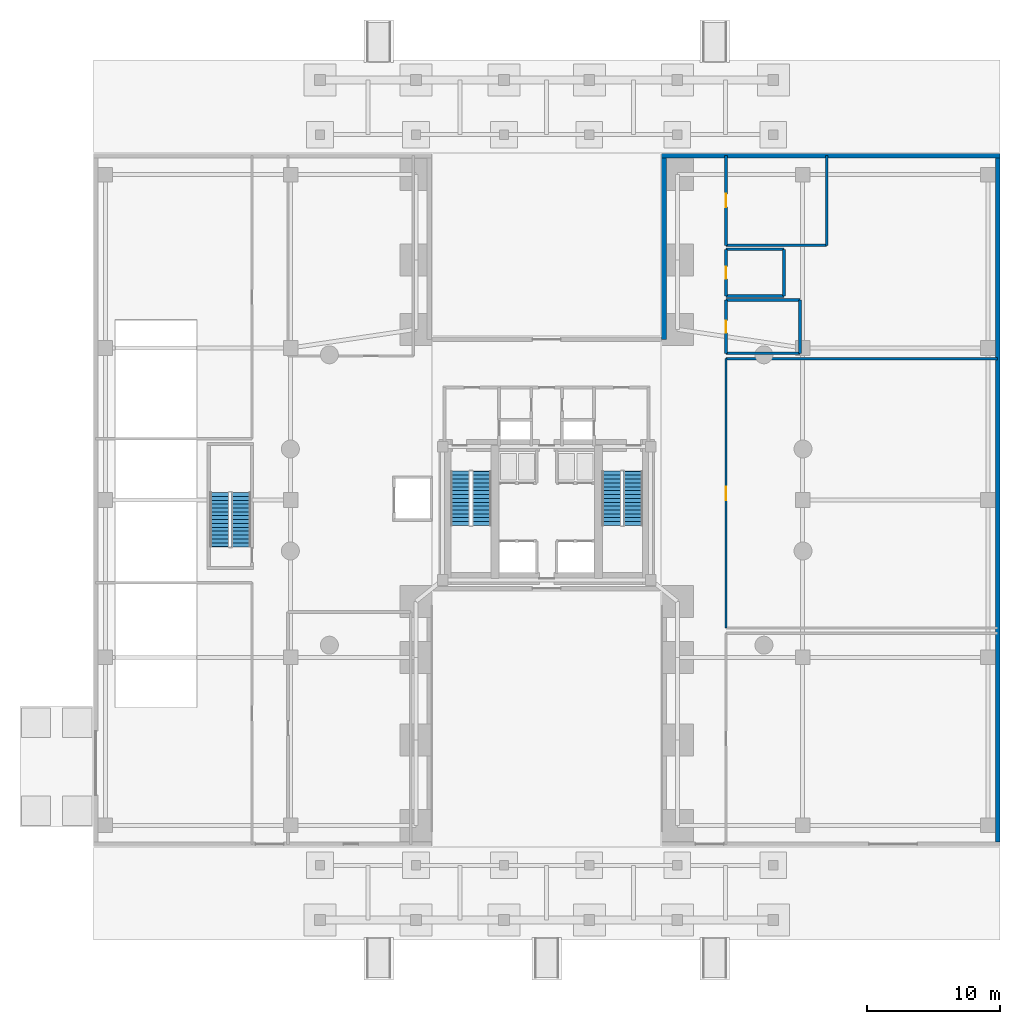
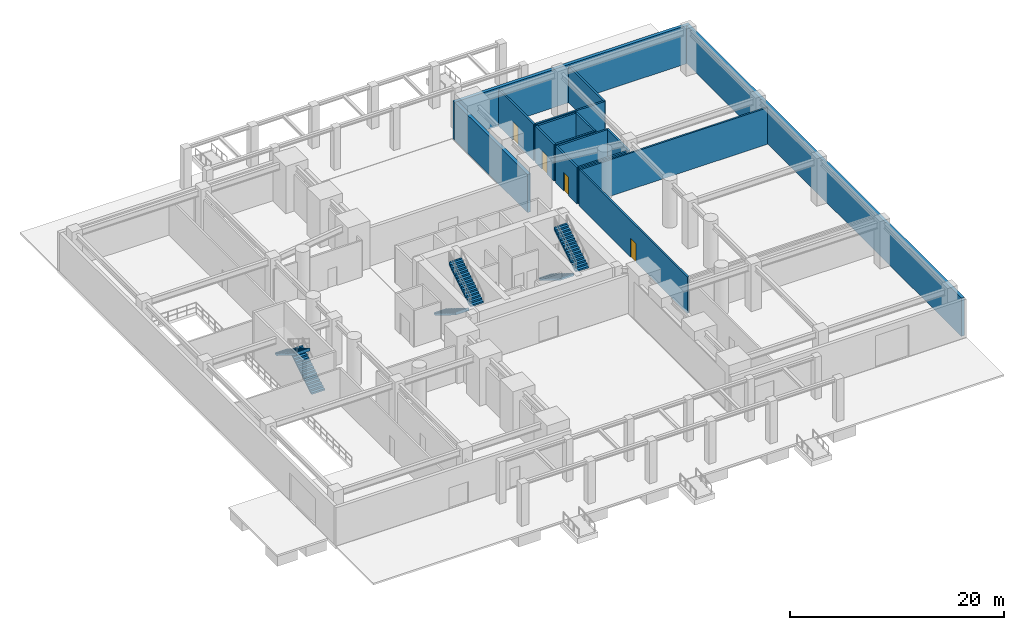
# One storey, part 6 of 11: 16 walls, 6 stair flights, 4 doors, 4 openings, 3 elements without a shape of their own.
"""IFC4 building model written with IfcOpenShell, lengths in metres."""

from ifc_helpers import new_model, si_unit, direction, frame, frame_2d, origin, place, context, subcontext, project, spatial, polyline, rectangle, outline, extrude, material, layer, layer_set, type_object, element, fill, aggregate, save


model = new_model("IFC4")

# Units and contexts
model_context = context("Model", 3, precision=1e-05, world=origin(), true_north=direction((0.0, 1.0)))
body_context = subcontext(model_context, "Body", "Model", "MODEL_VIEW")
ifc_project = project(units=[si_unit("LENGTHUNIT", "METRE"), si_unit("AREAUNIT", "SQUARE_METRE"), si_unit("VOLUMEUNIT", "CUBIC_METRE"), si_unit("PLANEANGLEUNIT", "RADIAN"), si_unit("MASSUNIT", "GRAM", prefix="KILO"), si_unit("THERMODYNAMICTEMPERATUREUNIT", "KELVIN"), si_unit("POWERUNIT", "WATT")], contexts=[model_context])

# Site, building, storey
site_placement = place(None, origin())
site = spatial("IfcSite", under=ifc_project, at=site_placement, CompositionType="ELEMENT")
building_placement = place(site_placement, origin())
building = spatial("IfcBuilding", under=site, at=building_placement, Name="Ocrelia Relay Tower", CompositionType="ELEMENT")
storey_placement = place(building_placement, origin())
storey = spatial("IfcBuildingStorey", under=building, at=storey_placement, Name="L00", CompositionType="ELEMENT", Elevation=0.0)

# Wall, opening, door
ifc_material_1 = material(Name="Gypsum Fireboard Partition EI60", Category="gypsum")
ifc_layer_1 = layer(ifc_material_1, 0.179931640625, Name="Gypsum Fireboard Partition EI60")
ifc_layer_set_1 = layer_set([ifc_layer_1], Name="Gypsum Fireboard Partition EI60")
wall_type_1 = type_object("IfcWallType", Name="W-CORR-EI60-180", PredefinedType="PARTITIONING", material=ifc_layer_set_1)
wall_1_placement = place(storey_placement, frame((47.449951171875, 36.60009765625, 0.0), z_axis=(0.0, 0.0, 1.0), x_axis=(0.0, -1.0, 0.0)))
wall_1 = element("IfcWall", 1, at=wall_1_placement, inside=storey, type_object=wall_type_1, Name="L00 North Carrier Optical Hall W Partition", PredefinedType="PARTITIONING", context=body_context, shape_type="SweptSolid", body=[
    extrude(rectangle(XDim=20.2001953125, YDim=0.179931640625, at=frame_2d((10.10009765625, 0.0))), origin(), (0.0, 0.0, 1.0), 4.159912109375),
])
opening_1_placement = place(wall_1_placement, frame((9.60009765625, 0.0, 0.0)))
opening_1 = element("IfcOpeningElement", 2, at=opening_1_placement, cuts=wall_1, Name="Opening D-RM100", PredefinedType="OPENING", context=body_context, shape_type="SweptSolid", body=[
    extrude(rectangle(XDim=1.0, YDim=2.14990234375, at=frame_2d((0.5, 1.074951171875))), frame((0.0, 0.10009765625, 0.0), z_axis=(0.0, -1.0, 0.0), x_axis=(1.0, 0.0, 0.0)), (0.0, 0.0, 1.0), 0.199951171875),
])
ifc_material_2 = material(Name="Acoustic oak veneer fire door", Category="wood")
door_type_1 = type_object("IfcDoorType", Name="DR-ROOM-FD60-1000", OperationType="NOTDEFINED", PredefinedType="DOOR", material=ifc_material_2)
door_1_placement = place(opening_1_placement, origin())
door_1 = element("IfcDoor", 3, at=door_1_placement, inside=storey, type_object=door_type_1, Name="L00 North Carrier Optical Hall Door", OperationType="SINGLE_SWING_LEFT", OverallHeight=2.14990234375, OverallWidth=1.0, PredefinedType="DOOR", context=body_context, shape_type="SweptSolid", body=[
    extrude(rectangle(XDim=1.0, YDim=2.14990234375, at=frame_2d((0.5, 1.074951171875))), frame((0.0, 0.02490234375, 0.0), z_axis=(0.0, -1.0, 0.0), x_axis=(1.0, 0.0, 0.0)), (0.0, 0.0, 1.0), 0.050048828125),
])
fill(opening_1, door_1)

# Walls
wall_2_placement = place(storey_placement, frame((67.820068359375, 36.60009765625, 0.0), z_axis=(0.0, 0.0, 1.0), x_axis=(-1.0, 0.0, 0.0)))
element("IfcWall", 4, at=wall_2_placement, inside=storey, type_object=wall_type_1, Name="L00 North Carrier Optical Hall N Partition", PredefinedType="PARTITIONING", context=body_context, shape_type="SweptSolid", body=[
    extrude(rectangle(XDim=20.3701171875, YDim=0.179931640625, at=frame_2d((10.18505859375, 0.0))), origin(), (0.0, 0.0, 1.0), 4.159912109375),
])
ifc_material_3 = material(Name="Precast concrete C40/50 with oxide terracotta", Category="masonry")
ifc_layer_2 = layer(ifc_material_3, 0.35009765625, Name="Precast concrete C40/50 with oxide terracotta")
ifc_layer_set_2 = layer_set([ifc_layer_2], Name="Precast concrete C40/50 with oxide terracotta")
wall_type_2 = type_object("IfcWallType", Name="W-EXT-POD-350", PredefinedType="SOLIDWALL", material=ifc_layer_set_2)
wall_3_placement = place(storey_placement, frame((67.820068359375, 51.639892578125, 0.0), z_axis=(0.0, 0.0, 1.0), x_axis=(0.0, -1.0, 0.0)))
element("IfcWall", 5, at=wall_3_placement, inside=storey, type_object=wall_type_2, Name="L00 Oxide Terracotta Podium Wall EE", PredefinedType="SOLIDWALL", context=body_context, shape_type="SweptSolid", body=[
    extrude(rectangle(XDim=51.27978515625, YDim=0.35009765625, at=frame_2d((25.639892578125, 0.0))), origin(), (0.0, 0.0, 1.0), 4.360107421875),
])
wall_4_placement = place(storey_placement, frame((42.6201171875, 51.820068359375, 0.0), z_axis=(0.0, 0.0, 1.0), x_axis=(1.0, 0.0, 0.0)))
element("IfcWall", 6, at=wall_4_placement, inside=storey, type_object=wall_type_2, Name="L00 Oxide Terracotta Podium Wall EN", PredefinedType="SOLIDWALL", context=body_context, shape_type="SweptSolid", body=[
    extrude(rectangle(XDim=25.369873046875, YDim=0.35009765625, at=frame_2d((12.68505859375, 0.0))), origin(), (0.0, 0.0, 1.0), 4.360107421875),
])
wall_5_placement = place(storey_placement, frame((42.800048828125, 38.050048828125, 0.0), z_axis=(0.0, 0.0, 1.0), x_axis=(0.0, 1.0, 0.0)))
element("IfcWall", 7, at=wall_5_placement, inside=storey, type_object=wall_type_2, Name="L00 Oxide Terracotta Podium Wall AEN", PredefinedType="SOLIDWALL", context=body_context, shape_type="SweptSolid", body=[
    extrude(rectangle(XDim=13.58984375, YDim=0.35009765625, at=frame_2d((6.794921875, 0.0))), origin(), (0.0, 0.0, 1.0), 4.360107421875),
])

# Wall, opening, door
ifc_material_4 = material(Name="Moisture-Resistant Fireboard Chase Wall EI60", Category="gypsum")
ifc_layer_3 = layer(ifc_material_4, 0.199951171875, Name="Moisture-Resistant Fireboard Chase Wall EI60")
ifc_layer_set_3 = layer_set([ifc_layer_3], Name="Moisture-Resistant Fireboard Chase Wall EI60")
wall_type_3 = type_object("IfcWallType", Name="W-PLUMB-200", PredefinedType="PLUMBINGWALL", material=ifc_layer_set_3)
wall_6_placement = place(storey_placement, frame((47.449951171875, 41.0, 0.0), z_axis=(0.0, 0.0, 1.0), x_axis=(0.0, -1.0, 0.0)))
wall_6 = element("IfcWall", 8, at=wall_6_placement, inside=storey, type_object=wall_type_3, Name="L00 Ground Public Toilet W Partition", PredefinedType="PLUMBINGWALL", context=body_context, shape_type="SweptSolid", body=[
    extrude(rectangle(XDim=4.0, YDim=0.199951171875, at=frame_2d((2.0, 0.0))), origin(), (0.0, 0.0, 1.0), 4.159912109375),
])
opening_2_placement = place(wall_6_placement, frame((1.5400390625, 0.0, 0.0)))
opening_2 = element("IfcOpeningElement", 9, at=opening_2_placement, cuts=wall_6, Name="Opening D-WC92", PredefinedType="OPENING", context=body_context, shape_type="SweptSolid", body=[
    extrude(rectangle(XDim=0.919921875, YDim=2.10009765625, at=frame_2d((0.4599609375, 1.050048828125))), frame((0.0, 0.10986328125, 0.0), z_axis=(0.0, -1.0, 0.0), x_axis=(1.0, 0.0, 0.0)), (0.0, 0.0, 1.0), 0.219970703125),
])
ifc_material_5 = material(Name="Laminate washroom door", Category="wood")
door_type_2 = type_object("IfcDoorType", Name="DR-WC-920", OperationType="NOTDEFINED", PredefinedType="DOOR", material=ifc_material_5)
door_2_placement = place(opening_2_placement, origin())
door_2 = element("IfcDoor", 10, at=door_2_placement, inside=storey, type_object=door_type_2, Name="L00 Ground Public Toilet Door", OperationType="SINGLE_SWING_RIGHT", OverallHeight=2.10009765625, OverallWidth=0.919921875, PredefinedType="DOOR", context=body_context, shape_type="SweptSolid", body=[
    extrude(rectangle(XDim=0.919921875, YDim=2.10009765625, at=frame_2d((0.4599609375, 1.050048828125))), frame((0.0, 0.02490234375, 0.0), z_axis=(0.0, -1.0, 0.0), x_axis=(1.0, 0.0, 0.0)), (0.0, 0.0, 1.0), 0.050048828125),
])
fill(opening_2, door_2)

# Walls
wall_7_placement = place(storey_placement, frame((47.449951171875, 37.0, 0.0), z_axis=(0.0, 0.0, 1.0), x_axis=(1.0, 0.0, 0.0)))
element("IfcWall", 11, at=wall_7_placement, inside=storey, type_object=wall_type_3, Name="L00 Ground Public Toilet S Partition", PredefinedType="PLUMBINGWALL", context=body_context, shape_type="SweptSolid", body=[
    extrude(rectangle(XDim=5.550048828125, YDim=0.199951171875, at=frame_2d((2.77490234375, 0.0))), origin(), (0.0, 0.0, 1.0), 4.159912109375),
])
wall_8_placement = place(storey_placement, frame((53.0, 37.0, 0.0), z_axis=(0.0, 0.0, 1.0), x_axis=(0.0, 1.0, 0.0)))
element("IfcWall", 12, at=wall_8_placement, inside=storey, type_object=wall_type_3, Name="L00 Ground Public Toilet E Partition", PredefinedType="PLUMBINGWALL", context=body_context, shape_type="SweptSolid", body=[
    extrude(rectangle(XDim=4.0, YDim=0.199951171875, at=frame_2d((2.0, 0.0))), origin(), (0.0, 0.0, 1.0), 4.159912109375),
])
wall_9_placement = place(storey_placement, frame((53.0, 41.0, 0.0), z_axis=(0.0, 0.0, 1.0), x_axis=(-1.0, 0.0, 0.0)))
element("IfcWall", 13, at=wall_9_placement, inside=storey, type_object=wall_type_3, Name="L00 Ground Public Toilet N Partition", PredefinedType="PLUMBINGWALL", context=body_context, shape_type="SweptSolid", body=[
    extrude(rectangle(XDim=5.550048828125, YDim=0.199951171875, at=frame_2d((2.77490234375, 0.0))), origin(), (0.0, 0.0, 1.0), 4.159912109375),
])

# Wall, opening, door
wall_10_placement = place(storey_placement, frame((47.449951171875, 44.800048828125, 0.0), z_axis=(0.0, 0.0, 1.0), x_axis=(0.0, -1.0, 0.0)))
wall_10 = element("IfcWall", 14, at=wall_10_placement, inside=storey, type_object=wall_type_3, Name="L00 Ground Accessible Toilet W Partition", PredefinedType="PLUMBINGWALL", context=body_context, shape_type="SweptSolid", body=[
    extrude(rectangle(XDim=3.5, YDim=0.199951171875, at=frame_2d((1.75, 0.0))), origin(), (0.0, 0.0, 1.0), 4.159912109375),
])
opening_3_placement = place(wall_10_placement, frame((1.2900390625, 0.0, 0.0)))
opening_3 = element("IfcOpeningElement", 15, at=opening_3_placement, cuts=wall_10, Name="Opening D-WC92", PredefinedType="OPENING", context=body_context, shape_type="SweptSolid", body=[
    extrude(rectangle(XDim=0.919921875, YDim=2.10009765625, at=frame_2d((0.4599609375, 1.050048828125))), frame((0.0, 0.10986328125, 0.0), z_axis=(0.0, -1.0, 0.0), x_axis=(1.0, 0.0, 0.0)), (0.0, 0.0, 1.0), 0.219970703125),
])
door_3_placement = place(opening_3_placement, origin())
door_3 = element("IfcDoor", 16, at=door_3_placement, inside=storey, type_object=door_type_2, Name="L00 Ground Accessible Toilet Door", OperationType="SINGLE_SWING_LEFT", OverallHeight=2.10009765625, OverallWidth=0.919921875, PredefinedType="DOOR", context=body_context, shape_type="SweptSolid", body=[
    extrude(rectangle(XDim=0.919921875, YDim=2.10009765625, at=frame_2d((0.4599609375, 1.050048828125))), frame((0.0, 0.02490234375, 0.0), z_axis=(0.0, -1.0, 0.0), x_axis=(1.0, 0.0, 0.0)), (0.0, 0.0, 1.0), 0.050048828125),
])
fill(opening_3, door_3)

# Walls
wall_11_placement = place(storey_placement, frame((47.449951171875, 41.300048828125, 0.0), z_axis=(0.0, 0.0, 1.0), x_axis=(1.0, 0.0, 0.0)))
element("IfcWall", 17, at=wall_11_placement, inside=storey, type_object=wall_type_3, Name="L00 Ground Accessible Toilet S Partition", PredefinedType="PLUMBINGWALL", context=body_context, shape_type="SweptSolid", body=[
    extrude(rectangle(XDim=4.35009765625, YDim=0.199951171875, at=frame_2d((2.175048828125, 0.0))), origin(), (0.0, 0.0, 1.0), 4.159912109375),
])
wall_12_placement = place(storey_placement, frame((51.800048828125, 41.300048828125, 0.0), z_axis=(0.0, 0.0, 1.0), x_axis=(0.0, 1.0, 0.0)))
element("IfcWall", 18, at=wall_12_placement, inside=storey, type_object=wall_type_3, Name="L00 Ground Accessible Toilet E Partition", PredefinedType="PLUMBINGWALL", context=body_context, shape_type="SweptSolid", body=[
    extrude(rectangle(XDim=3.5, YDim=0.199951171875, at=frame_2d((1.75, 0.0))), origin(), (0.0, 0.0, 1.0), 4.159912109375),
])
wall_13_placement = place(storey_placement, frame((51.800048828125, 44.800048828125, 0.0), z_axis=(0.0, 0.0, 1.0), x_axis=(-1.0, 0.0, 0.0)))
element("IfcWall", 19, at=wall_13_placement, inside=storey, type_object=wall_type_3, Name="L00 Ground Accessible Toilet N Partition", PredefinedType="PLUMBINGWALL", context=body_context, shape_type="SweptSolid", body=[
    extrude(rectangle(XDim=4.35009765625, YDim=0.199951171875, at=frame_2d((2.175048828125, 0.0))), origin(), (0.0, 0.0, 1.0), 4.159912109375),
])

# Wall, opening, door
wall_14_placement = place(storey_placement, frame((47.449951171875, 51.820068359375, 0.0), z_axis=(0.0, 0.0, 1.0), x_axis=(0.0, -1.0, 0.0)))
wall_14 = element("IfcWall", 20, at=wall_14_placement, inside=storey, type_object=wall_type_3, Name="L00 Guard Breakout Pantry W Partition", PredefinedType="PLUMBINGWALL", context=body_context, shape_type="SweptSolid", body=[
    extrude(rectangle(XDim=6.719970703125, YDim=0.199951171875, at=frame_2d((3.35986328125, 0.0))), origin(), (0.0, 0.0, 1.0), 4.159912109375),
])
opening_4_placement = place(wall_14_placement, frame((2.860107421875, 0.0, 0.0)))
opening_4 = element("IfcOpeningElement", 21, at=opening_4_placement, cuts=wall_14, Name="Opening D-RM100", PredefinedType="OPENING", context=body_context, shape_type="SweptSolid", body=[
    extrude(rectangle(XDim=1.0, YDim=2.14990234375, at=frame_2d((0.5, 1.074951171875))), frame((0.0, 0.10986328125, 0.0), z_axis=(0.0, -1.0, 0.0), x_axis=(1.0, 0.0, 0.0)), (0.0, 0.0, 1.0), 0.219970703125),
])
door_4_placement = place(opening_4_placement, origin())
door_4 = element("IfcDoor", 22, at=door_4_placement, inside=storey, type_object=door_type_1, Name="L00 Guard Breakout Pantry Door", OperationType="SINGLE_SWING_RIGHT", OverallHeight=2.14990234375, OverallWidth=1.0, PredefinedType="DOOR", context=body_context, shape_type="SweptSolid", body=[
    extrude(rectangle(XDim=1.0, YDim=2.14990234375, at=frame_2d((0.5, 1.074951171875))), frame((0.0, 0.02490234375, 0.0), z_axis=(0.0, -1.0, 0.0), x_axis=(1.0, 0.0, 0.0)), (0.0, 0.0, 1.0), 0.050048828125),
])
fill(opening_4, door_4)

# Walls
wall_15_placement = place(storey_placement, frame((47.449951171875, 45.10009765625, 0.0), z_axis=(0.0, 0.0, 1.0), x_axis=(1.0, 0.0, 0.0)))
element("IfcWall", 23, at=wall_15_placement, inside=storey, type_object=wall_type_3, Name="L00 Guard Breakout Pantry S Partition", PredefinedType="PLUMBINGWALL", context=body_context, shape_type="SweptSolid", body=[
    extrude(rectangle(XDim=7.550048828125, YDim=0.199951171875, at=frame_2d((3.77490234375, 0.0))), origin(), (0.0, 0.0, 1.0), 4.159912109375),
])
wall_16_placement = place(storey_placement, frame((55.0, 45.10009765625, 0.0), z_axis=(0.0, 0.0, 1.0), x_axis=(0.0, 1.0, 0.0)))
element("IfcWall", 24, at=wall_16_placement, inside=storey, type_object=wall_type_3, Name="L00 Guard Breakout Pantry E Partition", PredefinedType="PLUMBINGWALL", context=body_context, shape_type="SweptSolid", body=[
    extrude(rectangle(XDim=6.719970703125, YDim=0.199951171875, at=frame_2d((3.35986328125, 0.0))), origin(), (0.0, 0.0, 1.0), 4.159912109375),
])

# Stair, stair flights
ifc_material_6 = material(Name="Concrete C50/60", Category="concrete")
stair_type = type_object("IfcStairType", Name="ST-DL-1420-R180", PredefinedType="HALF_TURN_STAIR", material=ifc_material_6)
stair_1_placement = place(storey_placement, origin())
stair_1 = element("IfcStair", 25, at=stair_1_placement, inside=storey, type_object=stair_type, Name="L00 West Core Exit Stair ST1", PredefinedType="HALF_TURN_STAIR")
stair_flight_type = type_object("IfcStairFlightType", Name="STF-DL-1420-R180", PredefinedType="STRAIGHT", material=ifc_material_6)
stair_flight_1_placement = place(storey_placement, frame((27.52001953125, 28.14990234375, 0.0), z_axis=(0.0, 0.0, 1.0), x_axis=(0.0, -1.0, 0.0)))
stair_flight_1 = element("IfcStairFlight", 26, at=stair_flight_1_placement, type_object=stair_flight_type, Name="ST1 flight 1", NumberOfRisers=15, NumberOfTreads=14, PredefinedType="STRAIGHT", RiserHeight=0.18, TreadLength=0.29, context=body_context, shape_type="SweptSolid", body=[
    extrude(outline(polyline([(-0.008056640625, 0.0), (-0.008056640625, 0.179931640625), (0.0, 0.179931640625), (0.2900390625, 0.179931640625), (0.2900390625, 0.360107421875), (0.580078125, 0.360107421875), (0.580078125, 0.5400390625), (0.8701171875, 0.5400390625), (0.8701171875, 0.719970703125), (1.159912109375, 0.719970703125), (1.159912109375, 0.89990234375), (1.449951171875, 0.89990234375), (1.449951171875, 1.080078125), (1.739990234375, 1.080078125), (1.739990234375, 1.260009765625), (2.030029296875, 1.260009765625), (2.030029296875, 1.43994140625), (2.320068359375, 1.43994140625), (2.320068359375, 1.6201171875), (2.610107421875, 1.6201171875), (2.610107421875, 1.800048828125), (2.89990234375, 1.800048828125), (2.89990234375, 1.97998046875), (3.18994140625, 1.97998046875), (3.18994140625, 2.159912109375), (3.47998046875, 2.159912109375), (3.47998046875, 2.340087890625), (3.77001953125, 2.340087890625), (3.77001953125, 2.52001953125), (4.06005859375, 2.52001953125), (4.06005859375, 2.699951171875), (4.068115234375, 2.699951171875), (4.068115234375, 2.343505859375), (0.2841796875, 0.0), (-0.008056640625, 0.0)])), frame((0.0, 0.7099609375, 0.0), z_axis=(0.0, -1.0, 0.0), x_axis=(1.0, 0.0, 0.0)), (0.0, 0.0, 1.0), 1.419921875),
])
stair_flight_2_placement = place(storey_placement, frame((29.139892578125, 24.090087890625, 2.699951171875), z_axis=(0.0, 0.0, 1.0), x_axis=(0.0, 1.0, 0.0)))
stair_flight_2 = element("IfcStairFlight", 27, at=stair_flight_2_placement, type_object=stair_flight_type, Name="ST1 flight 2", NumberOfRisers=15, NumberOfTreads=14, PredefinedType="STRAIGHT", RiserHeight=0.18, TreadLength=0.29, context=body_context, shape_type="SweptSolid", body=[
    extrude(outline(polyline([(-0.008056640625, 0.0), (-0.008056640625, 0.179931640625), (0.0, 0.179931640625), (0.2900390625, 0.179931640625), (0.2900390625, 0.360107421875), (0.580078125, 0.360107421875), (0.580078125, 0.5400390625), (0.8701171875, 0.5400390625), (0.8701171875, 0.719970703125), (1.159912109375, 0.719970703125), (1.159912109375, 0.89990234375), (1.449951171875, 0.89990234375), (1.449951171875, 1.080078125), (1.739990234375, 1.080078125), (1.739990234375, 1.260009765625), (2.030029296875, 1.260009765625), (2.030029296875, 1.43994140625), (2.320068359375, 1.43994140625), (2.320068359375, 1.6201171875), (2.610107421875, 1.6201171875), (2.610107421875, 1.800048828125), (2.89990234375, 1.800048828125), (2.89990234375, 1.97998046875), (3.18994140625, 1.97998046875), (3.18994140625, 2.159912109375), (3.47998046875, 2.159912109375), (3.47998046875, 2.340087890625), (3.77001953125, 2.340087890625), (3.77001953125, 2.52001953125), (4.06005859375, 2.52001953125), (4.06005859375, 2.699951171875), (4.068115234375, 2.699951171875), (4.068115234375, 2.343505859375), (0.2841796875, 0.0), (-0.008056640625, 0.0)])), frame((0.0, 0.7099609375, 0.0), z_axis=(0.0, -1.0, 0.0), x_axis=(1.0, 0.0, 0.0)), (0.0, 0.0, 1.0), 1.419921875),
])
aggregate(stair_1, [stair_flight_1, stair_flight_2])

stair_2_placement = place(storey_placement, origin())
stair_2 = element("IfcStair", 28, at=stair_2_placement, inside=storey, type_object=stair_type, Name="L00 East Core Exit Stair ST2", PredefinedType="HALF_TURN_STAIR")
stair_flight_3_placement = place(storey_placement, frame((38.8701171875, 28.14990234375, 0.0), z_axis=(0.0, 0.0, 1.0), x_axis=(0.0, -1.0, 0.0)))
stair_flight_3 = element("IfcStairFlight", 29, at=stair_flight_3_placement, type_object=stair_flight_type, Name="ST2 flight 1", NumberOfRisers=15, NumberOfTreads=14, PredefinedType="STRAIGHT", RiserHeight=0.18, TreadLength=0.29, context=body_context, shape_type="SweptSolid", body=[
    extrude(outline(polyline([(-0.008056640625, 0.0), (-0.008056640625, 0.179931640625), (0.0, 0.179931640625), (0.2900390625, 0.179931640625), (0.2900390625, 0.360107421875), (0.580078125, 0.360107421875), (0.580078125, 0.5400390625), (0.8701171875, 0.5400390625), (0.8701171875, 0.719970703125), (1.159912109375, 0.719970703125), (1.159912109375, 0.89990234375), (1.449951171875, 0.89990234375), (1.449951171875, 1.080078125), (1.739990234375, 1.080078125), (1.739990234375, 1.260009765625), (2.030029296875, 1.260009765625), (2.030029296875, 1.43994140625), (2.320068359375, 1.43994140625), (2.320068359375, 1.6201171875), (2.610107421875, 1.6201171875), (2.610107421875, 1.800048828125), (2.89990234375, 1.800048828125), (2.89990234375, 1.97998046875), (3.18994140625, 1.97998046875), (3.18994140625, 2.159912109375), (3.47998046875, 2.159912109375), (3.47998046875, 2.340087890625), (3.77001953125, 2.340087890625), (3.77001953125, 2.52001953125), (4.06005859375, 2.52001953125), (4.06005859375, 2.699951171875), (4.068115234375, 2.699951171875), (4.068115234375, 2.343505859375), (0.2841796875, 0.0), (-0.008056640625, 0.0)])), frame((0.0, 0.7099609375, 0.0), z_axis=(0.0, -1.0, 0.0), x_axis=(1.0, 0.0, 0.0)), (0.0, 0.0, 1.0), 1.419921875),
])
stair_flight_4_placement = place(storey_placement, frame((40.489990234375, 24.090087890625, 2.699951171875), z_axis=(0.0, 0.0, 1.0), x_axis=(0.0, 1.0, 0.0)))
stair_flight_4 = element("IfcStairFlight", 30, at=stair_flight_4_placement, type_object=stair_flight_type, Name="ST2 flight 2", NumberOfRisers=15, NumberOfTreads=14, PredefinedType="STRAIGHT", RiserHeight=0.18, TreadLength=0.29, context=body_context, shape_type="SweptSolid", body=[
    extrude(outline(polyline([(-0.008056640625, 0.0), (-0.008056640625, 0.179931640625), (0.0, 0.179931640625), (0.2900390625, 0.179931640625), (0.2900390625, 0.360107421875), (0.580078125, 0.360107421875), (0.580078125, 0.5400390625), (0.8701171875, 0.5400390625), (0.8701171875, 0.719970703125), (1.159912109375, 0.719970703125), (1.159912109375, 0.89990234375), (1.449951171875, 0.89990234375), (1.449951171875, 1.080078125), (1.739990234375, 1.080078125), (1.739990234375, 1.260009765625), (2.030029296875, 1.260009765625), (2.030029296875, 1.43994140625), (2.320068359375, 1.43994140625), (2.320068359375, 1.6201171875), (2.610107421875, 1.6201171875), (2.610107421875, 1.800048828125), (2.89990234375, 1.800048828125), (2.89990234375, 1.97998046875), (3.18994140625, 1.97998046875), (3.18994140625, 2.159912109375), (3.47998046875, 2.159912109375), (3.47998046875, 2.340087890625), (3.77001953125, 2.340087890625), (3.77001953125, 2.52001953125), (4.06005859375, 2.52001953125), (4.06005859375, 2.699951171875), (4.068115234375, 2.699951171875), (4.068115234375, 2.343505859375), (0.2841796875, 0.0), (-0.008056640625, 0.0)])), frame((0.0, 0.7099609375, 0.0), z_axis=(0.0, -1.0, 0.0), x_axis=(1.0, 0.0, 0.0)), (0.0, 0.0, 1.0), 1.419921875),
])
aggregate(stair_2, [stair_flight_3, stair_flight_4])

stair_3_placement = place(storey_placement, origin())
stair_3 = element("IfcStair", 31, at=stair_3_placement, inside=storey, type_object=stair_type, Name="L00 Podium West Exit Stair ST3", PredefinedType="HALF_TURN_STAIR")
stair_flight_5_placement = place(storey_placement, frame((11.090087890625, 22.5, 0.0), z_axis=(0.0, 0.0, 1.0), x_axis=(0.0, 1.0, 0.0)))
stair_flight_5 = element("IfcStairFlight", 32, at=stair_flight_5_placement, type_object=stair_flight_type, Name="ST3 flight 1", NumberOfRisers=15, NumberOfTreads=14, PredefinedType="STRAIGHT", RiserHeight=0.18, TreadLength=0.29, context=body_context, shape_type="SweptSolid", body=[
    extrude(outline(polyline([(-0.008056640625, 0.0), (-0.008056640625, 0.179931640625), (0.0, 0.179931640625), (0.2900390625, 0.179931640625), (0.2900390625, 0.360107421875), (0.580078125, 0.360107421875), (0.580078125, 0.5400390625), (0.8701171875, 0.5400390625), (0.8701171875, 0.719970703125), (1.159912109375, 0.719970703125), (1.159912109375, 0.89990234375), (1.449951171875, 0.89990234375), (1.449951171875, 1.080078125), (1.739990234375, 1.080078125), (1.739990234375, 1.260009765625), (2.030029296875, 1.260009765625), (2.030029296875, 1.43994140625), (2.320068359375, 1.43994140625), (2.320068359375, 1.6201171875), (2.610107421875, 1.6201171875), (2.610107421875, 1.800048828125), (2.89990234375, 1.800048828125), (2.89990234375, 1.97998046875), (3.18994140625, 1.97998046875), (3.18994140625, 2.159912109375), (3.47998046875, 2.159912109375), (3.47998046875, 2.340087890625), (3.77001953125, 2.340087890625), (3.77001953125, 2.52001953125), (4.06005859375, 2.52001953125), (4.06005859375, 2.699951171875), (4.068115234375, 2.699951171875), (4.068115234375, 2.343505859375), (0.2841796875, 0.0), (-0.008056640625, 0.0)])), frame((0.0, 0.7099609375, 0.0), z_axis=(0.0, -1.0, 0.0), x_axis=(1.0, 0.0, 0.0)), (0.0, 0.0, 1.0), 1.419921875),
])
stair_flight_6_placement = place(storey_placement, frame((9.469970703125, 26.56005859375, 2.699951171875), z_axis=(0.0, 0.0, 1.0), x_axis=(0.0, -1.0, 0.0)))
stair_flight_6 = element("IfcStairFlight", 33, at=stair_flight_6_placement, type_object=stair_flight_type, Name="ST3 flight 2", NumberOfRisers=15, NumberOfTreads=14, PredefinedType="STRAIGHT", RiserHeight=0.18, TreadLength=0.29, context=body_context, shape_type="SweptSolid", body=[
    extrude(outline(polyline([(-0.008056640625, 0.0), (-0.008056640625, 0.179931640625), (0.0, 0.179931640625), (0.2900390625, 0.179931640625), (0.2900390625, 0.360107421875), (0.580078125, 0.360107421875), (0.580078125, 0.5400390625), (0.8701171875, 0.5400390625), (0.8701171875, 0.719970703125), (1.159912109375, 0.719970703125), (1.159912109375, 0.89990234375), (1.449951171875, 0.89990234375), (1.449951171875, 1.080078125), (1.739990234375, 1.080078125), (1.739990234375, 1.260009765625), (2.030029296875, 1.260009765625), (2.030029296875, 1.43994140625), (2.320068359375, 1.43994140625), (2.320068359375, 1.6201171875), (2.610107421875, 1.6201171875), (2.610107421875, 1.800048828125), (2.89990234375, 1.800048828125), (2.89990234375, 1.97998046875), (3.18994140625, 1.97998046875), (3.18994140625, 2.159912109375), (3.47998046875, 2.159912109375), (3.47998046875, 2.340087890625), (3.77001953125, 2.340087890625), (3.77001953125, 2.52001953125), (4.06005859375, 2.52001953125), (4.06005859375, 2.699951171875), (4.068115234375, 2.699951171875), (4.068115234375, 2.343505859375), (0.2841796875, 0.0), (-0.008056640625, 0.0)])), frame((0.0, 0.7099609375, 0.0), z_axis=(0.0, -1.0, 0.0), x_axis=(1.0, 0.0, 0.0)), (0.0, 0.0, 1.0), 1.419921875),
])
aggregate(stair_3, [stair_flight_5, stair_flight_6])

save(model, "model.ifc")
